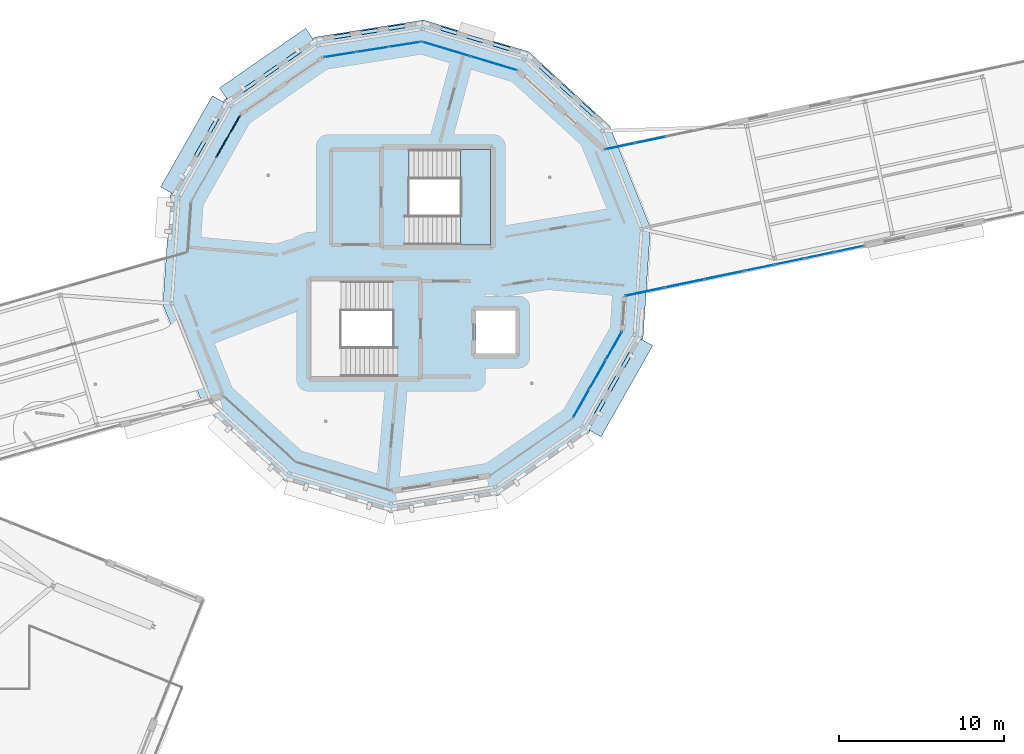
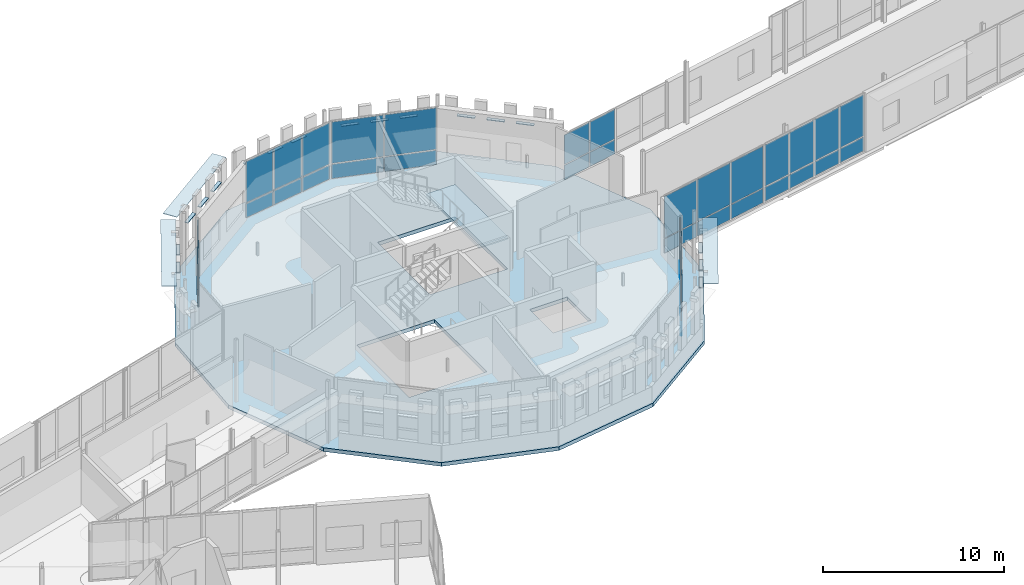
# One storey, part 77 of 125: 56 plates, 2 slabs, 8 elements without a shape of their own.
"""IFC4 building model written with IfcOpenShell, lengths in metres."""

from ifc_helpers import new_model, si_unit, direction, frame, origin, origin_2d, place, context, subcontext, project, spatial, polyline, rectangle, outline, extrude, material, layer, layer_set, type_object, element, aggregate, save


model = new_model("IFC4")

# Units and contexts
model_context = context("Model", 3, precision=1e-05, world=origin(), true_north=direction((0.0, 1.0)))
body_context = subcontext(model_context, "Body", "Model", "MODEL_VIEW")
ifc_project = project(units=[si_unit("LENGTHUNIT", "METRE"), si_unit("AREAUNIT", "SQUARE_METRE"), si_unit("VOLUMEUNIT", "CUBIC_METRE"), si_unit("PLANEANGLEUNIT", "RADIAN"), si_unit("MASSUNIT", "GRAM", prefix="KILO")], contexts=[model_context])

# Site, building, storey
site_placement = place(None, origin())
site = spatial("IfcSite", under=ifc_project, at=site_placement, CompositionType="ELEMENT")
building_placement = place(site_placement, origin())
building = spatial("IfcBuilding", under=site, at=building_placement, Name="Wrenclough Park School", CompositionType="ELEMENT")
storey_placement = place(building_placement, frame((0.0, 0.0, 4.199951171875)))
storey = spatial("IfcBuildingStorey", under=building, at=storey_placement, Name="L01", CompositionType="ELEMENT", Elevation=4.199951171875)

# Curtain wall, plates
ifc_material_1 = material(Name="Thermally broken aluminium and low-e glass curtain wall", Category="aluminium")
curtain_wall_type_1 = type_object("IfcCurtainWallType", Name="ENV-CW-09", PredefinedType="USERDEFINED", material=ifc_material_1)
curtain_wall_1_placement = place(storey_placement, origin())
curtain_wall_1 = element("IfcCurtainWall", 1, at=curtain_wall_1_placement, inside=storey, type_object=curtain_wall_type_1, Name="L01 recessed curtain wall assembly 104", ObjectType="CURTAIN WALL", PredefinedType="USERDEFINED")
ifc_material_2 = material(Name="Double-glazed solar-control low-e glass", Category="glass")
ifc_layer_1 = layer(ifc_material_2, 0.02587890625)
ifc_layer_set_1 = layer_set([ifc_layer_1], Name="Double-glazed solar-control low-e glass")
plate_type_1 = type_object("IfcPlateType", Name="ENV-CWP-GL26", PredefinedType="CURTAIN_PANEL", material=ifc_layer_set_1)
plate_1_placement = place(storey_placement, frame((78.929931640625, 121.355712890625, 0.06982421875), z_axis=(0.0, 0.0, 1.0), x_axis=(0.987689764371, 0.156425475408, 0.0)))
plate_1 = element("IfcPlate", 2, at=plate_1_placement, type_object=plate_type_1, Name="CW-09 panel 1.1", PredefinedType="CURTAIN_PANEL", context=body_context, shape_type="SweptSolid", body=[
    extrude(rectangle(XDim=1.92138671875, YDim=0.02587890625, at=origin_2d()), origin(), (0.0, 0.0, 1.0), 0.945068359375),
])
plate_2_placement = place(storey_placement, frame((78.929931640625, 121.355712890625, 1.0849609375), z_axis=(0.0, 0.0, 1.0), x_axis=(0.987689764371, 0.156425475408, 0.0)))
plate_2 = element("IfcPlate", 3, at=plate_2_placement, type_object=plate_type_1, Name="CW-09 panel 1.2", PredefinedType="CURTAIN_PANEL", context=body_context, shape_type="SweptSolid", body=[
    extrude(rectangle(XDim=1.92138671875, YDim=0.02587890625, at=origin_2d()), origin(), (0.0, 0.0, 1.0), 2.784912109375),
])
plate_3_placement = place(storey_placement, frame((80.9140625, 121.669921875, 0.06982421875), z_axis=(0.0, 0.0, 1.0), x_axis=(0.987689764371, 0.156425475408, 0.0)))
plate_3 = element("IfcPlate", 4, at=plate_3_placement, type_object=plate_type_1, Name="CW-09 panel 2.1", PredefinedType="CURTAIN_PANEL", context=body_context, shape_type="SweptSolid", body=[
    extrude(rectangle(XDim=1.956298828125, YDim=0.02587890625, at=origin_2d()), origin(), (0.0, 0.0, 1.0), 0.945068359375),
])
plate_4_placement = place(storey_placement, frame((80.9140625, 121.669921875, 1.0849609375), z_axis=(0.0, 0.0, 1.0), x_axis=(0.987689764371, 0.156425475408, 0.0)))
plate_4 = element("IfcPlate", 5, at=plate_4_placement, type_object=plate_type_1, Name="CW-09 panel 2.2", PredefinedType="CURTAIN_PANEL", context=body_context, shape_type="SweptSolid", body=[
    extrude(rectangle(XDim=1.956298828125, YDim=0.02587890625, at=origin_2d()), origin(), (0.0, 0.0, 1.0), 2.784912109375),
])
plate_5_placement = place(storey_placement, frame((82.898193359375, 121.984130859375, 0.06982421875), z_axis=(0.0, 0.0, 1.0), x_axis=(0.987689764371, 0.156425475408, 0.0)))
plate_5 = element("IfcPlate", 6, at=plate_5_placement, type_object=plate_type_1, Name="CW-09 panel 3.1", PredefinedType="CURTAIN_PANEL", context=body_context, shape_type="SweptSolid", body=[
    extrude(rectangle(XDim=1.92138671875, YDim=0.02587890625, at=origin_2d()), origin(), (0.0, 0.0, 1.0), 0.945068359375),
])
plate_6_placement = place(storey_placement, frame((82.898193359375, 121.984130859375, 1.0849609375), z_axis=(0.0, 0.0, 1.0), x_axis=(0.987689764371, 0.156425475408, 0.0)))
plate_6 = element("IfcPlate", 7, at=plate_6_placement, type_object=plate_type_1, Name="CW-09 panel 3.2", PredefinedType="CURTAIN_PANEL", context=body_context, shape_type="SweptSolid", body=[
    extrude(rectangle(XDim=1.92138671875, YDim=0.02587890625, at=origin_2d()), origin(), (0.0, 0.0, 1.0), 2.784912109375),
])
aggregate(curtain_wall_1, [plate_1, plate_2, plate_3, plate_4, plate_5, plate_6])

curtain_wall_type_2 = type_object("IfcCurtainWallType", Name="ENV-CW-05", PredefinedType="USERDEFINED", material=ifc_material_1)
curtain_wall_2_placement = place(storey_placement, origin())
curtain_wall_2 = element("IfcCurtainWall", 8, at=curtain_wall_2_placement, inside=storey, type_object=curtain_wall_type_2, Name="L01 recessed curtain wall assembly 164", ObjectType="CURTAIN WALL", PredefinedType="USERDEFINED")
plate_7_placement = place(storey_placement, frame((109.890625, 109.55126953125, 0.06982421875), z_axis=(0.0, 0.0, 1.0), x_axis=(-0.978788431396, -0.204873635602, 0.0)))
plate_7 = element("IfcPlate", 9, at=plate_7_placement, type_object=plate_type_1, Name="CW-05 panel 1.1", PredefinedType="CURTAIN_PANEL", context=body_context, shape_type="SweptSolid", body=[
    extrude(rectangle(XDim=1.7548828125, YDim=0.02587890625, at=origin_2d()), origin(), (0.0, 0.0, 1.0), 0.945068359375),
])
plate_8_placement = place(storey_placement, frame((109.890625, 109.55126953125, 1.0849609375), z_axis=(0.0, 0.0, 1.0), x_axis=(-0.978788431396, -0.204873635602, 0.0)))
plate_8 = element("IfcPlate", 10, at=plate_8_placement, type_object=plate_type_1, Name="CW-05 panel 1.2", PredefinedType="CURTAIN_PANEL", context=body_context, shape_type="SweptSolid", body=[
    extrude(rectangle(XDim=1.7548828125, YDim=0.02587890625, at=origin_2d()), origin(), (0.0, 0.0, 1.0), 2.784912109375),
])
plate_9_placement = place(storey_placement, frame((108.08740234375, 109.173828125, 0.06982421875), z_axis=(0.0, 0.0, 1.0), x_axis=(-0.978788431396, -0.204873635602, 0.0)))
plate_9 = element("IfcPlate", 11, at=plate_9_placement, type_object=plate_type_1, Name="CW-05 panel 2.1", PredefinedType="CURTAIN_PANEL", context=body_context, shape_type="SweptSolid", body=[
    extrude(rectangle(XDim=1.7900390625, YDim=0.02587890625, at=origin_2d()), origin(), (0.0, 0.0, 1.0), 0.945068359375),
])
plate_10_placement = place(storey_placement, frame((108.08740234375, 109.173828125, 1.0849609375), z_axis=(0.0, 0.0, 1.0), x_axis=(-0.978788431396, -0.204873635602, 0.0)))
plate_10 = element("IfcPlate", 12, at=plate_10_placement, type_object=plate_type_1, Name="CW-05 panel 2.2", PredefinedType="CURTAIN_PANEL", context=body_context, shape_type="SweptSolid", body=[
    extrude(rectangle(XDim=1.7900390625, YDim=0.02587890625, at=origin_2d()), origin(), (0.0, 0.0, 1.0), 2.784912109375),
])
plate_11_placement = place(storey_placement, frame((106.266845703125, 108.792724609375, 0.06982421875), z_axis=(0.0, 0.0, 1.0), x_axis=(-0.978788431396, -0.204873635602, 0.0)))
plate_11 = element("IfcPlate", 13, at=plate_11_placement, type_object=plate_type_1, Name="CW-05 panel 3.1", PredefinedType="CURTAIN_PANEL", context=body_context, shape_type="SweptSolid", body=[
    extrude(rectangle(XDim=1.7900390625, YDim=0.02587890625, at=origin_2d()), origin(), (0.0, 0.0, 1.0), 0.945068359375),
])
plate_12_placement = place(storey_placement, frame((106.266845703125, 108.792724609375, 1.0849609375), z_axis=(0.0, 0.0, 1.0), x_axis=(-0.978788431396, -0.204873635602, 0.0)))
plate_12 = element("IfcPlate", 14, at=plate_12_placement, type_object=plate_type_1, Name="CW-05 panel 3.2", PredefinedType="CURTAIN_PANEL", context=body_context, shape_type="SweptSolid", body=[
    extrude(rectangle(XDim=1.7900390625, YDim=0.02587890625, at=origin_2d()), origin(), (0.0, 0.0, 1.0), 2.784912109375),
])
plate_13_placement = place(storey_placement, frame((104.463623046875, 108.415283203125, 0.06982421875), z_axis=(0.0, 0.0, 1.0), x_axis=(-0.978788431396, -0.204873635602, 0.0)))
plate_13 = element("IfcPlate", 15, at=plate_13_placement, type_object=plate_type_1, Name="CW-05 panel 4.1", PredefinedType="CURTAIN_PANEL", context=body_context, shape_type="SweptSolid", body=[
    extrude(rectangle(XDim=1.7548828125, YDim=0.02587890625, at=origin_2d()), origin(), (0.0, 0.0, 1.0), 0.945068359375),
])
plate_14_placement = place(storey_placement, frame((104.463623046875, 108.415283203125, 1.0849609375), z_axis=(0.0, 0.0, 1.0), x_axis=(-0.978788431396, -0.204873635602, 0.0)))
plate_14 = element("IfcPlate", 16, at=plate_14_placement, type_object=plate_type_1, Name="CW-05 panel 4.2", PredefinedType="CURTAIN_PANEL", context=body_context, shape_type="SweptSolid", body=[
    extrude(rectangle(XDim=1.7548828125, YDim=0.02587890625, at=origin_2d()), origin(), (0.0, 0.0, 1.0), 2.784912109375),
])
aggregate(curtain_wall_2, [plate_7, plate_8, plate_9, plate_10, plate_11, plate_12, plate_13, plate_14])

curtain_wall_type_3 = type_object("IfcCurtainWallType", Name="ENV-CW-10", PredefinedType="USERDEFINED", material=ifc_material_1)
curtain_wall_3_placement = place(storey_placement, origin())
curtain_wall_3 = element("IfcCurtainWall", 17, at=curtain_wall_3_placement, inside=storey, type_object=curtain_wall_type_3, Name="L01 recessed curtain wall assembly 105", ObjectType="CURTAIN WALL", PredefinedType="USERDEFINED")
ifc_material_3 = material(Name="Double-glazed acoustic low-e glass", Category="glass")
ifc_layer_2 = layer(ifc_material_3, 0.030029296875)
ifc_layer_set_2 = layer_set([ifc_layer_2], Name="Double-glazed acoustic low-e glass")
plate_type_2 = type_object("IfcPlateType", Name="ENV-CWP-GL30", PredefinedType="CURTAIN_PANEL", material=ifc_layer_set_2)
plate_15_placement = place(storey_placement, frame((85.393798828125, 121.703369140625, 0.06005859375), z_axis=(0.0, 0.0, 1.0), x_axis=(0.957755621798, -0.287583325168, 0.0)))
plate_15 = element("IfcPlate", 18, at=plate_15_placement, type_object=plate_type_2, Name="CW-10 panel 1.1", PredefinedType="CURTAIN_PANEL", context=body_context, shape_type="SweptSolid", body=[
    extrude(rectangle(XDim=2.94921875, YDim=0.030029296875, at=origin_2d()), origin(), (0.0, 0.0, 1.0), 0.9599609375),
])
plate_16_placement = place(storey_placement, frame((85.393798828125, 121.703369140625, 1.080078125), z_axis=(0.0, 0.0, 1.0), x_axis=(0.957755621798, -0.287583325168, 0.0)))
plate_16 = element("IfcPlate", 19, at=plate_16_placement, type_object=plate_type_2, Name="CW-10 panel 1.2", PredefinedType="CURTAIN_PANEL", context=body_context, shape_type="SweptSolid", body=[
    extrude(rectangle(XDim=2.94921875, YDim=0.030029296875, at=origin_2d()), origin(), (0.0, 0.0, 1.0), 2.800048828125),
])
plate_17_placement = place(storey_placement, frame((88.27587890625, 120.837890625, 0.06005859375), z_axis=(0.0, 0.0, 1.0), x_axis=(0.957755621798, -0.287583325168, 0.0)))
plate_17 = element("IfcPlate", 20, at=plate_17_placement, type_object=plate_type_2, Name="CW-10 panel 2.1", PredefinedType="CURTAIN_PANEL", context=body_context, shape_type="SweptSolid", body=[
    extrude(rectangle(XDim=2.94921875, YDim=0.030029296875, at=origin_2d()), origin(), (0.0, 0.0, 1.0), 0.9599609375),
])
plate_18_placement = place(storey_placement, frame((88.27587890625, 120.837890625, 1.080078125), z_axis=(0.0, 0.0, 1.0), x_axis=(0.957755621798, -0.287583325168, 0.0)))
plate_18 = element("IfcPlate", 21, at=plate_18_placement, type_object=plate_type_2, Name="CW-10 panel 2.2", PredefinedType="CURTAIN_PANEL", context=body_context, shape_type="SweptSolid", body=[
    extrude(rectangle(XDim=2.94921875, YDim=0.030029296875, at=origin_2d()), origin(), (0.0, 0.0, 1.0), 2.800048828125),
])
aggregate(curtain_wall_3, [plate_15, plate_16, plate_17, plate_18])

curtain_wall_type_4 = type_object("IfcCurtainWallType", Name="ENV-CW-11", PredefinedType="USERDEFINED", material=ifc_material_1)
curtain_wall_4_placement = place(storey_placement, origin())
curtain_wall_4 = element("IfcCurtainWall", 22, at=curtain_wall_4_placement, inside=storey, type_object=curtain_wall_type_4, Name="L01 recessed curtain wall assembly 106", ObjectType="CURTAIN WALL", PredefinedType="USERDEFINED")
ifc_material_4 = material(Name="Triple-glazed senior-lab low-e glass", Category="glass")
ifc_layer_3 = layer(ifc_material_4, 0.033935546875)
ifc_layer_set_3 = layer_set([ifc_layer_3], Name="Triple-glazed senior-lab low-e glass")
plate_type_3 = type_object("IfcPlateType", Name="ENV-CWP-GL34", PredefinedType="CURTAIN_PANEL", material=ifc_layer_set_3)
plate_19_placement = place(storey_placement, frame((95.961669921875, 115.7900390625, 0.06494140625), z_axis=(0.0, 0.0, 1.0), x_axis=(0.978788978052, 0.204871023923, 0.0)))
plate_19 = element("IfcPlate", 23, at=plate_19_placement, type_object=plate_type_3, Name="CW-11 panel 1.1", PredefinedType="CURTAIN_PANEL", context=body_context, shape_type="SweptSolid", body=[
    extrude(rectangle(XDim=1.8134765625, YDim=0.033935546875, at=origin_2d()), origin(), (0.0, 0.0, 1.0), 0.952392578125),
])
plate_20_placement = place(storey_placement, frame((95.961669921875, 115.7900390625, 1.08251953125), z_axis=(0.0, 0.0, 1.0), x_axis=(0.978788978052, 0.204871023923, 0.0)))
plate_20 = element("IfcPlate", 24, at=plate_20_placement, type_object=plate_type_3, Name="CW-11 panel 1.2", PredefinedType="CURTAIN_PANEL", context=body_context, shape_type="SweptSolid", body=[
    extrude(rectangle(XDim=1.8134765625, YDim=0.033935546875, at=origin_2d()), origin(), (0.0, 0.0, 1.0), 1.984619140625),
])
plate_21_placement = place(storey_placement, frame((97.816162109375, 116.17822265625, 0.06494140625), z_axis=(0.0, 0.0, 1.0), x_axis=(0.978788978052, 0.204871023923, 0.0)))
plate_21 = element("IfcPlate", 25, at=plate_21_placement, type_object=plate_type_3, Name="CW-11 panel 2.1", PredefinedType="CURTAIN_PANEL", context=body_context, shape_type="SweptSolid", body=[
    extrude(rectangle(XDim=1.845947265625, YDim=0.033935546875, at=origin_2d()), origin(), (0.0, 0.0, 1.0), 0.952392578125),
])
plate_22_placement = place(storey_placement, frame((97.816162109375, 116.17822265625, 1.08251953125), z_axis=(0.0, 0.0, 1.0), x_axis=(0.978788978052, 0.204871023923, 0.0)))
plate_22 = element("IfcPlate", 26, at=plate_22_placement, type_object=plate_type_3, Name="CW-11 panel 2.2", PredefinedType="CURTAIN_PANEL", context=body_context, shape_type="SweptSolid", body=[
    extrude(rectangle(XDim=1.845947265625, YDim=0.033935546875, at=origin_2d()), origin(), (0.0, 0.0, 1.0), 1.984619140625),
])
aggregate(curtain_wall_4, [plate_19, plate_20, plate_21, plate_22])

curtain_wall_type_5 = type_object("IfcCurtainWallType", Name="ENV-CW-06", PredefinedType="USERDEFINED", material=ifc_material_1)
curtain_wall_5_placement = place(storey_placement, origin())
curtain_wall_5 = element("IfcCurtainWall", 27, at=curtain_wall_5_placement, inside=storey, type_object=curtain_wall_type_5, Name="L01 recessed curtain wall assembly 165", ObjectType="CURTAIN WALL", PredefinedType="USERDEFINED")
ifc_material_5 = material(Name="Insulated anodised aluminium spandrel panel", Category="aluminium")
ifc_layer_4 = layer(ifc_material_5, 0.0419921875)
ifc_layer_set_4 = layer_set([ifc_layer_4], Name="Insulated anodised aluminium spandrel panel")
plate_type_4 = type_object("IfcPlateType", Name="ENV-CWP-SP42", PredefinedType="CURTAIN_PANEL", material=ifc_layer_set_4)
plate_23_placement = place(storey_placement, frame((102.300048828125, 107.96240234375, 0.06005859375), z_axis=(0.0, 0.0, 1.0), x_axis=(-0.978788431396, -0.204873635602, 0.0)))
plate_23 = element("IfcPlate", 28, at=plate_23_placement, type_object=plate_type_4, Name="CW-06 panel 1.1", PredefinedType="CURTAIN_PANEL", context=body_context, shape_type="SweptSolid", body=[
    extrude(rectangle(XDim=2.389892578125, YDim=0.0419921875, at=origin_2d()), origin(), (0.0, 0.0, 1.0), 0.9599609375),
])
plate_24_placement = place(storey_placement, frame((102.300048828125, 107.96240234375, 1.080078125), z_axis=(0.0, 0.0, 1.0), x_axis=(-0.978788431396, -0.204873635602, 0.0)))
plate_24 = element("IfcPlate", 29, at=plate_24_placement, type_object=plate_type_4, Name="CW-06 panel 1.2", PredefinedType="CURTAIN_PANEL", context=body_context, shape_type="SweptSolid", body=[
    extrude(rectangle(XDim=2.389892578125, YDim=0.0419921875, at=origin_2d()), origin(), (0.0, 0.0, 1.0), 2.800048828125),
])
plate_25_placement = place(storey_placement, frame((99.887451171875, 107.45751953125, 0.06005859375), z_axis=(0.0, 0.0, 1.0), x_axis=(-0.978788431396, -0.204873635602, 0.0)))
plate_25 = element("IfcPlate", 30, at=plate_25_placement, type_object=plate_type_4, Name="CW-06 panel 2.1", PredefinedType="CURTAIN_PANEL", context=body_context, shape_type="SweptSolid", body=[
    extrude(rectangle(XDim=2.419921875, YDim=0.0419921875, at=origin_2d()), origin(), (0.0, 0.0, 1.0), 0.9599609375),
])
plate_26_placement = place(storey_placement, frame((99.887451171875, 107.45751953125, 1.080078125), z_axis=(0.0, 0.0, 1.0), x_axis=(-0.978788431396, -0.204873635602, 0.0)))
plate_26 = element("IfcPlate", 31, at=plate_26_placement, type_object=plate_type_4, Name="CW-06 panel 2.2", PredefinedType="CURTAIN_PANEL", context=body_context, shape_type="SweptSolid", body=[
    extrude(rectangle(XDim=2.419921875, YDim=0.0419921875, at=origin_2d()), origin(), (0.0, 0.0, 1.0), 2.800048828125),
])
plate_27_placement = place(storey_placement, frame((97.474853515625, 106.952392578125, 0.06005859375), z_axis=(0.0, 0.0, 1.0), x_axis=(-0.978788431396, -0.204873635602, 0.0)))
plate_27 = element("IfcPlate", 32, at=plate_27_placement, type_object=plate_type_4, Name="CW-06 panel 3.1", PredefinedType="CURTAIN_PANEL", context=body_context, shape_type="SweptSolid", body=[
    extrude(rectangle(XDim=2.389892578125, YDim=0.0419921875, at=origin_2d()), origin(), (0.0, 0.0, 1.0), 0.9599609375),
])
plate_28_placement = place(storey_placement, frame((97.474853515625, 106.952392578125, 1.080078125), z_axis=(0.0, 0.0, 1.0), x_axis=(-0.978788431396, -0.204873635602, 0.0)))
plate_28 = element("IfcPlate", 33, at=plate_28_placement, type_object=plate_type_4, Name="CW-06 panel 3.2", PredefinedType="CURTAIN_PANEL", context=body_context, shape_type="SweptSolid", body=[
    extrude(rectangle(XDim=2.389892578125, YDim=0.0419921875, at=origin_2d()), origin(), (0.0, 0.0, 1.0), 2.800048828125),
])
aggregate(curtain_wall_5, [plate_23, plate_24, plate_25, plate_26, plate_27, plate_28])

curtain_wall_type_6 = type_object("IfcCurtainWallType", Name="ENV-CW-07", PredefinedType="USERDEFINED", material=ifc_material_1)
curtain_wall_6_placement = place(storey_placement, origin())
curtain_wall_6 = element("IfcCurtainWall", 34, at=curtain_wall_6_placement, inside=storey, type_object=curtain_wall_type_6, Name="L01 recessed curtain wall assembly 166", ObjectType="CURTAIN WALL", PredefinedType="USERDEFINED")
ifc_material_6 = material(Name="Insulated patinated copper-toned spandrel panel", Category="aluminium")
ifc_layer_5 = layer(ifc_material_6, 0.048095703125)
ifc_layer_set_5 = layer_set([ifc_layer_5], Name="Insulated patinated copper-toned spandrel panel")
plate_type_5 = type_object("IfcPlateType", Name="ENV-CWP-SP48", PredefinedType="CURTAIN_PANEL", material=ifc_layer_set_5)
plate_29_placement = place(storey_placement, frame((95.589111328125, 103.667724609375, 0.06494140625), z_axis=(0.0, 0.0, 1.0), x_axis=(-0.493500599274, -0.869745456163, 0.0)))
plate_29 = element("IfcPlate", 35, at=plate_29_placement, type_object=plate_type_5, Name="CW-07 panel 1.1", PredefinedType="CURTAIN_PANEL", context=body_context, shape_type="SweptSolid", body=[
    extrude(rectangle(XDim=1.928955078125, YDim=0.048095703125, at=origin_2d()), origin(), (0.0, 0.0, 1.0), 0.952392578125),
])
plate_30_placement = place(storey_placement, frame((95.589111328125, 103.667724609375, 1.08251953125), z_axis=(0.0, 0.0, 1.0), x_axis=(-0.493500599274, -0.869745456163, 0.0)))
plate_30 = element("IfcPlate", 36, at=plate_30_placement, type_object=plate_type_5, Name="CW-07 panel 1.2", PredefinedType="CURTAIN_PANEL", context=body_context, shape_type="SweptSolid", body=[
    extrude(rectangle(XDim=1.928955078125, YDim=0.048095703125, at=origin_2d()), origin(), (0.0, 0.0, 1.0), 2.79248046875),
])
plate_31_placement = place(storey_placement, frame((94.59716796875, 101.91943359375, 0.06494140625), z_axis=(0.0, 0.0, 1.0), x_axis=(-0.493500599274, -0.869745456163, 0.0)))
plate_31 = element("IfcPlate", 37, at=plate_31_placement, type_object=plate_type_5, Name="CW-07 panel 2.1", PredefinedType="CURTAIN_PANEL", context=body_context, shape_type="SweptSolid", body=[
    extrude(rectangle(XDim=1.96142578125, YDim=0.048095703125, at=origin_2d()), origin(), (0.0, 0.0, 1.0), 0.952392578125),
])
plate_32_placement = place(storey_placement, frame((94.59716796875, 101.91943359375, 1.08251953125), z_axis=(0.0, 0.0, 1.0), x_axis=(-0.493500599274, -0.869745456163, 0.0)))
plate_32 = element("IfcPlate", 38, at=plate_32_placement, type_object=plate_type_5, Name="CW-07 panel 2.2", PredefinedType="CURTAIN_PANEL", context=body_context, shape_type="SweptSolid", body=[
    extrude(rectangle(XDim=1.96142578125, YDim=0.048095703125, at=origin_2d()), origin(), (0.0, 0.0, 1.0), 2.79248046875),
])
plate_33_placement = place(storey_placement, frame((93.605224609375, 100.171142578125, 0.06494140625), z_axis=(0.0, 0.0, 1.0), x_axis=(-0.493500599274, -0.869745456163, 0.0)))
plate_33 = element("IfcPlate", 39, at=plate_33_placement, type_object=plate_type_5, Name="CW-07 panel 3.1", PredefinedType="CURTAIN_PANEL", context=body_context, shape_type="SweptSolid", body=[
    extrude(rectangle(XDim=1.928955078125, YDim=0.048095703125, at=origin_2d()), origin(), (0.0, 0.0, 1.0), 0.952392578125),
])
plate_34_placement = place(storey_placement, frame((93.605224609375, 100.171142578125, 1.08251953125), z_axis=(0.0, 0.0, 1.0), x_axis=(-0.493500599274, -0.869745456163, 0.0)))
plate_34 = element("IfcPlate", 40, at=plate_34_placement, type_object=plate_type_5, Name="CW-07 panel 3.2", PredefinedType="CURTAIN_PANEL", context=body_context, shape_type="SweptSolid", body=[
    extrude(rectangle(XDim=1.928955078125, YDim=0.048095703125, at=origin_2d()), origin(), (0.0, 0.0, 1.0), 2.79248046875),
])
aggregate(curtain_wall_6, [plate_29, plate_30, plate_31, plate_32, plate_33, plate_34])

curtain_wall_type_7 = type_object("IfcCurtainWallType", Name="ENV-CW-08", PredefinedType="USERDEFINED", material=ifc_material_1)
curtain_wall_7_placement = place(storey_placement, origin())
curtain_wall_7 = element("IfcCurtainWall", 41, at=curtain_wall_7_placement, inside=storey, type_object=curtain_wall_type_7, Name="L01 recessed curtain wall assembly 103", ObjectType="CURTAIN WALL", PredefinedType="USERDEFINED")
ifc_material_7 = material(Name="Acoustic mineral-wool spandrel cassette", Category="aluminium")
ifc_layer_6 = layer(ifc_material_7, 0.053955078125)
ifc_layer_set_6 = layer_set([ifc_layer_6], Name="Acoustic mineral-wool spandrel cassette")
plate_type_6 = type_object("IfcPlateType", Name="ENV-CWP-SP54", PredefinedType="CURTAIN_PANEL", material=ifc_layer_set_6)
plate_35_placement = place(storey_placement, frame((72.144775390625, 116.38818359375, 0.06494140625), z_axis=(0.0, 0.0, 1.0), x_axis=(0.493500599274, 0.869745456163, 0.0)))
plate_35 = element("IfcPlate", 42, at=plate_35_placement, type_object=plate_type_6, Name="CW-08 panel 2.1", PredefinedType="CURTAIN_PANEL", context=body_context, shape_type="SweptSolid", body=[
    extrude(rectangle(XDim=2.94189453125, YDim=0.053955078125, at=origin_2d()), origin(), (0.0, 0.0, 1.0), 0.952392578125),
])
plate_36_placement = place(storey_placement, frame((72.144775390625, 116.38818359375, 1.08251953125), z_axis=(0.0, 0.0, 1.0), x_axis=(0.493500599274, 0.869745456163, 0.0)))
plate_36 = element("IfcPlate", 43, at=plate_36_placement, type_object=plate_type_6, Name="CW-08 panel 2.2", PredefinedType="CURTAIN_PANEL", context=body_context, shape_type="SweptSolid", body=[
    extrude(rectangle(XDim=2.94189453125, YDim=0.053955078125, at=origin_2d()), origin(), (0.0, 0.0, 1.0), 2.79248046875),
])
aggregate(curtain_wall_7, [plate_35, plate_36])

# Plates
ifc_material_8 = material(Name="Anodised architectural aluminium solar shading fin plate", Category="aluminium")
ifc_layer_7 = layer(ifc_material_8, 0.0380859375)
ifc_layer_set_7 = layer_set([ifc_layer_7], Name="Anodised architectural aluminium solar shading fin plate")
plate_type_7 = type_object("IfcPlateType", Name="ENV-PL-BSF", PredefinedType="SHEET", material=ifc_layer_set_7)
plate_37_placement = place(storey_placement, frame((93.976806640625, 118.035400390625, 2.72216796875), z_axis=(0.0, 0.0, 1.0), x_axis=(-0.738122161547, 0.674667084296, 0.0)))
element("IfcPlate", 44, at=plate_37_placement, inside=storey, type_object=plate_type_7, Name="D4 L01 open-bond brick screen tie band 0229", PredefinedType="SHEET", context=body_context, shape_type="SweptSolid", body=[
    extrude(rectangle(XDim=1.01806640625, YDim=0.219970703125, at=origin_2d()), origin(), (0.0, 0.0, 1.0), 0.0419921875),
])
plate_38_placement = place(storey_placement, frame((92.744873046875, 119.161376953125, 2.72216796875), z_axis=(0.0, 0.0, 1.0), x_axis=(-0.738122161547, 0.674667084296, 0.0)))
element("IfcPlate", 45, at=plate_38_placement, inside=storey, type_object=plate_type_7, Name="D4 L01 open-bond brick screen tie band 0230", PredefinedType="SHEET", context=body_context, shape_type="SweptSolid", body=[
    extrude(rectangle(XDim=1.017822265625, YDim=0.219970703125, at=origin_2d()), origin(), (0.0, 0.0, 1.0), 0.0419921875),
])
plate_39_placement = place(storey_placement, frame((91.512939453125, 120.287353515625, 2.72216796875), z_axis=(0.0, 0.0, 1.0), x_axis=(-0.738122161547, 0.674667084296, 0.0)))
element("IfcPlate", 46, at=plate_39_placement, inside=storey, type_object=plate_type_7, Name="D4 L01 open-bond brick screen tie band 0231", PredefinedType="SHEET", context=body_context, shape_type="SweptSolid", body=[
    extrude(rectangle(XDim=1.01806640625, YDim=0.219970703125, at=origin_2d()), origin(), (0.0, 0.0, 1.0), 0.0419921875),
])
for number, where, z_axis, x_axis, name in (
    (47, (88.75244140625, 121.853759765625, 2.72216796875), (0.0, 0.0, 1.0), (-0.957751215921, 0.287597997911, 0.0), "D4 L01 open-bond brick screen tie band 0232"),
    (48, (87.154052734375, 122.333740234375, 2.72216796875), (0.0, 0.0, 1.0), (-0.957751215921, 0.287597997911, 0.0), "D4 L01 open-bond brick screen tie band 0233"),
    (49, (85.5556640625, 122.813720703125, 2.72216796875), (0.0, 0.0, 1.0), (-0.957751215921, 0.287597997911, 0.0), "D4 L01 open-bond brick screen tie band 0234"),
    (50, (82.388916015625, 123.027099609375, 2.72216796875), (0.0, 0.0, 1.0), (-0.98768815471, -0.156435638666, 0.0), "D4 L01 open-bond brick screen tie band 0235"),
    (51, (80.740478515625, 122.76611328125, 2.72216796875), (0.0, 0.0, 1.0), (-0.98768815471, -0.156435638666, 0.0), "D4 L01 open-bond brick screen tie band 0236"),
    (52, (79.09228515625, 122.5048828125, 2.72216796875), (0.0, 0.0, 1.0), (-0.98768815471, -0.156435638666, 0.0), "D4 L01 open-bond brick screen tie band 0237"),
):
    element("IfcPlate", number, at=place(storey_placement, frame(where, z_axis=z_axis, x_axis=x_axis)), inside=storey, type_object=plate_type_7, Name=name, PredefinedType="SHEET", context=body_context, shape_type="SweptSolid", body=[
        extrude(rectangle(XDim=1.017822265625, YDim=0.219970703125, at=origin_2d()), origin(), (0.0, 0.0, 1.0), 0.0419921875),
    ])
plate_40_placement = place(storey_placement, frame((76.146240234375, 121.3232421875, 2.72216796875), z_axis=(0.0, 0.0, 1.0), x_axis=(-0.8220077158, -0.569476351718, 0.0)))
element("IfcPlate", 53, at=plate_40_placement, inside=storey, type_object=plate_type_7, Name="D4 L01 open-bond brick screen tie band 0238", PredefinedType="SHEET", context=body_context, shape_type="SweptSolid", body=[
    extrude(rectangle(XDim=1.01806640625, YDim=0.219970703125, at=origin_2d()), origin(), (0.0, 0.0, 1.0), 0.0419921875),
])
plate_41_placement = place(storey_placement, frame((74.7744140625, 120.372802734375, 2.72216796875), z_axis=(0.0, 0.0, 1.0), x_axis=(-0.8220077158, -0.569476351718, 0.0)))
element("IfcPlate", 54, at=plate_41_placement, inside=storey, type_object=plate_type_7, Name="D4 L01 open-bond brick screen tie band 0239", PredefinedType="SHEET", context=body_context, shape_type="SweptSolid", body=[
    extrude(rectangle(XDim=1.017822265625, YDim=0.219970703125, at=origin_2d()), origin(), (0.0, 0.0, 1.0), 0.0419921875),
])
plate_42_placement = place(storey_placement, frame((73.402587890625, 119.422607421875, 2.72216796875), z_axis=(0.0, 0.0, 1.0), x_axis=(-0.8220077158, -0.569476351718, 0.0)))
element("IfcPlate", 55, at=plate_42_placement, inside=storey, type_object=plate_type_7, Name="D4 L01 open-bond brick screen tie band 0240", PredefinedType="SHEET", context=body_context, shape_type="SweptSolid", body=[
    extrude(rectangle(XDim=1.01806640625, YDim=0.219970703125, at=origin_2d()), origin(), (0.0, 0.0, 1.0), 0.0419921875),
])
plate_43_placement = place(storey_placement, frame((74.479736328125, 120.79833984375, 3.700927734375), z_axis=(0.0, 0.0, 1.0), x_axis=(-0.8220077158, -0.569476351718, 0.0)))
element("IfcPlate", 56, at=plate_43_placement, inside=storey, type_object=plate_type_7, Name="D4 L01 sun-side projecting brise-soleil blade 0025", PredefinedType="SHEET", context=body_context, shape_type="SweptSolid", body=[
    extrude(rectangle(XDim=6.37548828125, YDim=0.85009765625, at=origin_2d()), origin(), (0.0, 0.0, 1.0), 0.0380859375),
])
plate_44_placement = place(storey_placement, frame((71.26123046875, 117.079833984375, 2.72216796875), z_axis=(0.0, 0.0, 1.0), x_axis=(-0.493508752009, -0.869740830185, 0.0)))
element("IfcPlate", 57, at=plate_44_placement, inside=storey, type_object=plate_type_7, Name="D4 L01 open-bond brick screen tie band 0241", PredefinedType="SHEET", context=body_context, shape_type="SweptSolid", body=[
    extrude(rectangle(XDim=1.017822265625, YDim=0.219970703125, at=origin_2d()), origin(), (0.0, 0.0, 1.0), 0.0419921875),
])
plate_45_placement = place(storey_placement, frame((70.4375, 115.62841796875, 2.72216796875), z_axis=(0.0, 0.0, 1.0), x_axis=(-0.493508752009, -0.869740830185, 0.0)))
element("IfcPlate", 58, at=plate_45_placement, inside=storey, type_object=plate_type_7, Name="D4 L01 open-bond brick screen tie band 0242", PredefinedType="SHEET", context=body_context, shape_type="SweptSolid", body=[
    extrude(rectangle(XDim=1.01806640625, YDim=0.219970703125, at=origin_2d()), origin(), (0.0, 0.0, 1.0), 0.0419921875),
])
plate_46_placement = place(storey_placement, frame((69.987548828125, 115.883544921875, 3.700927734375), z_axis=(0.0, 0.0, 1.0), x_axis=(-0.493508752009, -0.869740830185, 0.0)))
element("IfcPlate", 59, at=plate_46_placement, inside=storey, type_object=plate_type_7, Name="D4 L01 sun-side projecting brise-soleil blade 0026", PredefinedType="SHEET", context=body_context, shape_type="SweptSolid", body=[
    extrude(rectangle(XDim=6.375732421875, YDim=0.85009765625, at=origin_2d()), origin(), (0.0, 0.0, 1.0), 0.0380859375),
])
plate_47_placement = place(storey_placement, frame((94.73876953125, 99.920166015625, 2.72216796875), z_axis=(0.0, 0.0, 1.0), x_axis=(0.493508752009, 0.869740830185, 0.0)))
element("IfcPlate", 60, at=plate_47_placement, inside=storey, type_object=plate_type_7, Name="D4 L01 open-bond brick screen tie band 0256", PredefinedType="SHEET", context=body_context, shape_type="SweptSolid", body=[
    extrude(rectangle(XDim=1.017822265625, YDim=0.219970703125, at=origin_2d()), origin(), (0.0, 0.0, 1.0), 0.0419921875),
])
plate_48_placement = place(storey_placement, frame((95.5625, 101.37158203125, 2.72216796875), z_axis=(0.0, 0.0, 1.0), x_axis=(0.493508752009, 0.869740830185, 0.0)))
element("IfcPlate", 61, at=plate_48_placement, inside=storey, type_object=plate_type_7, Name="D4 L01 open-bond brick screen tie band 0257", PredefinedType="SHEET", context=body_context, shape_type="SweptSolid", body=[
    extrude(rectangle(XDim=1.01806640625, YDim=0.219970703125, at=origin_2d()), origin(), (0.0, 0.0, 1.0), 0.0419921875),
])
plate_49_placement = place(storey_placement, frame((96.385986328125, 102.8232421875, 2.72216796875), z_axis=(0.0, 0.0, 1.0), x_axis=(0.493508752009, 0.869740830185, 0.0)))
element("IfcPlate", 62, at=plate_49_placement, inside=storey, type_object=plate_type_7, Name="D4 L01 open-bond brick screen tie band 0258", PredefinedType="SHEET", context=body_context, shape_type="SweptSolid", body=[
    extrude(rectangle(XDim=1.017822265625, YDim=0.219970703125, at=origin_2d()), origin(), (0.0, 0.0, 1.0), 0.0419921875),
])
plate_50_placement = place(storey_placement, frame((96.012451171875, 101.116455078125, 3.700927734375), z_axis=(0.0, 0.0, 1.0), x_axis=(0.493508752009, 0.869740830185, 0.0)))
element("IfcPlate", 63, at=plate_50_placement, inside=storey, type_object=plate_type_7, Name="D4 L01 sun-side projecting brise-soleil blade 0032", PredefinedType="SHEET", context=body_context, shape_type="SweptSolid", body=[
    extrude(rectangle(XDim=6.375732421875, YDim=0.85009765625, at=origin_2d()), origin(), (0.0, 0.0, 1.0), 0.0380859375),
])

# Stair, slab
ifc_material_9 = material(Name="Precast concrete C40/50", Category="concrete")
stair_type = type_object("IfcStairType", Name="INT-ST-180-42", PredefinedType="HALF_TURN_STAIR", material=ifc_material_9)
stair_placement = place(storey_placement, origin())
stair = element("IfcStair", 64, at=stair_placement, inside=storey, type_object=stair_type, Name="L01 escape stair ST-08", PredefinedType="HALF_TURN_STAIR")
ifc_layer_8 = layer(ifc_material_9, 0.195068359375)
ifc_layer_set_8 = layer_set([ifc_layer_8], Name="Precast concrete C40/50")
slab_type_1 = type_object("IfcSlabType", Name="INT-SL-LAND195", PredefinedType="LANDING", material=ifc_layer_set_8)
slab_1_placement = place(storey_placement, frame((0.0, 0.0, 1.989013671875)))
slab_1 = element("IfcSlab", 65, at=slab_1_placement, type_object=slab_type_1, Name="ST-08 landing 1", PredefinedType="LANDING", context=body_context, shape_type="SweptSolid", body=[
    extrude(outline(polyline([(86.277099609375, 109.800048828125), (88.10009765625, 109.800048828125), (88.10009765625, 115.60009765625), (86.277099609375, 115.60009765625), (86.277099609375, 109.800048828125)])), origin(), (0.0, 0.0, 1.0), 0.195068359375),
])
aggregate(stair, [slab_1])

# Slab
ifc_material_10 = material(Name="Concrete C32/40", Category="concrete")
ifc_layer_9 = layer(ifc_material_10, 0.25)
ifc_layer_set_9 = layer_set([ifc_layer_9], Name="Concrete C32/40")
slab_type_2 = type_object("IfcSlabType", Name="STR-SL-FL250", PredefinedType="FLOOR", material=ifc_layer_set_9)
slab_2_placement = place(storey_placement, frame((0.0, 0.0, -0.25)))
element("IfcSlab", 66, at=slab_2_placement, inside=storey, type_object=slab_type_2, Name="D4 L01 structural slab SLAB-D4-L01", PredefinedType="FLOOR", context=body_context, shape_type="SweptSolid", body=[
    extrude(outline(polyline([(97.815185546875, 110.846435546875), (95.330078125, 117.042236328125), (90.402587890625, 121.546142578125), (84.009033203125, 123.466064453125), (77.41552734375, 122.421630859375), (71.92822265625, 118.6201171875), (68.6337890625, 112.81396484375), (68.184814453125, 106.153564453125), (70.669921875, 99.957763671875), (75.597412109375, 95.453857421875), (81.990966796875, 93.533935546875), (88.58447265625, 94.578369140625), (94.07177734375, 98.3798828125), (97.3662109375, 104.18603515625), (97.815185546875, 110.846435546875)]), holes=[polyline([(77.199951171875, 101.800048828125), (82.152099609375, 101.800048828125), (82.152099609375, 107.60009765625), (77.199951171875, 107.60009765625), (77.199951171875, 101.800048828125)]), polyline([(87.199951171875, 103.199951171875), (89.60009765625, 103.199951171875), (89.60009765625, 105.800048828125), (87.199951171875, 105.800048828125), (87.199951171875, 103.199951171875)]), polyline([(83.14794921875, 109.800048828125), (88.10009765625, 109.800048828125), (88.10009765625, 115.60009765625), (83.14794921875, 115.60009765625), (83.14794921875, 109.800048828125)])]), origin(), (0.0, 0.0, 1.0), 0.25),
])

save(model, "model.ifc")
